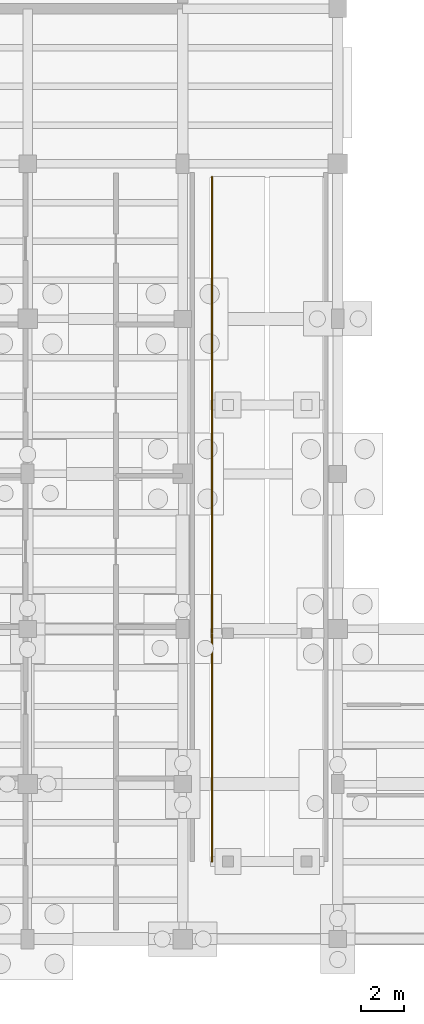
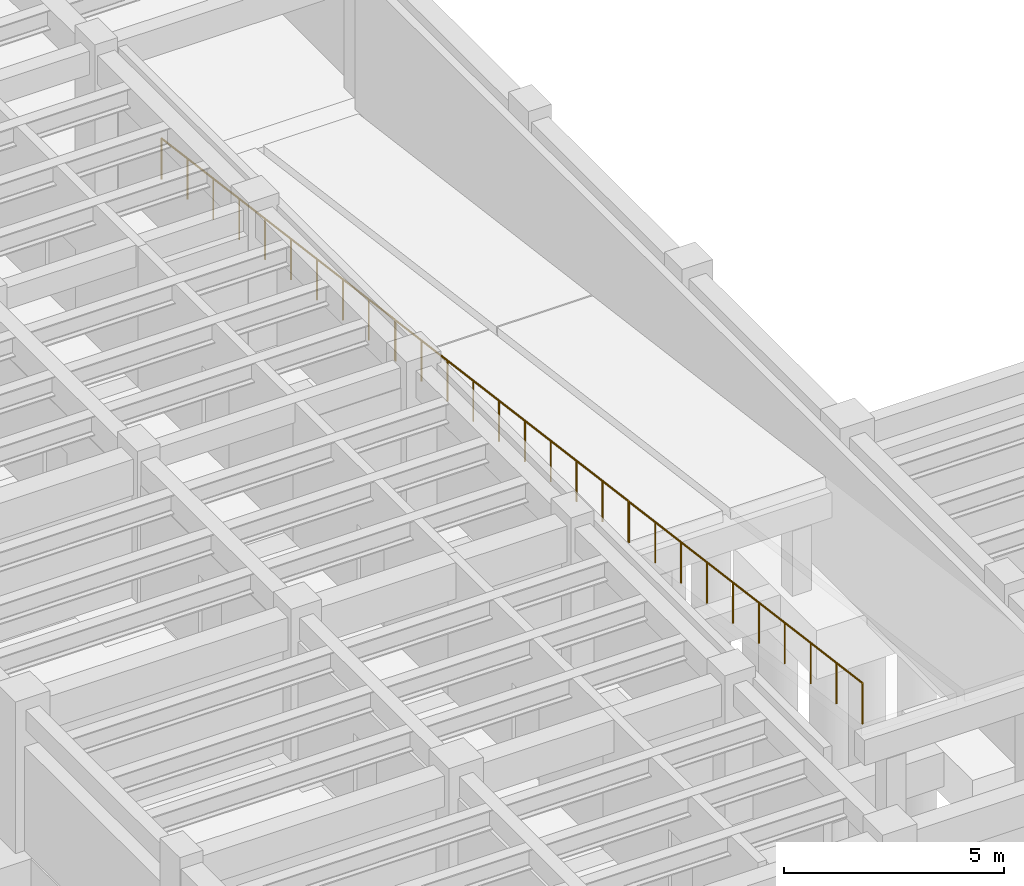
# One storey, part 27 of 33: 3 railings.
"""IFC4 building model written with IfcOpenShell, lengths in metres."""

from ifc_helpers import new_model, si_unit, direction, frame, origin, origin_2d, place, context, subcontext, project, spatial, circle, extrude, material, type_object, element, save


model = new_model("IFC4")

# Units and contexts
model_context = context("Model", 3, precision=1e-05, world=origin(), true_north=direction((0.0, 1.0)))
body_context = subcontext(model_context, "Body", "Model", "MODEL_VIEW")
ifc_project = project(units=[si_unit("LENGTHUNIT", "METRE"), si_unit("AREAUNIT", "SQUARE_METRE"), si_unit("VOLUMEUNIT", "CUBIC_METRE"), si_unit("PLANEANGLEUNIT", "RADIAN"), si_unit("MASSUNIT", "GRAM", prefix="KILO")], contexts=[model_context])

# Site, building, storey
site_placement = place(None, origin())
site = spatial("IfcSite", under=ifc_project, at=site_placement, CompositionType="ELEMENT")
building_placement = place(site_placement, origin())
building = spatial("IfcBuilding", under=site, at=building_placement, Name="Mithqara Police Headquarters", CompositionType="ELEMENT")
storey_placement = place(building_placement, frame((0.0, 0.0, -4.199951171875)))
storey = spatial("IfcBuildingStorey", under=building, at=storey_placement, Name="B1", CompositionType="ELEMENT", Elevation=-4.199951171875)

# Railings
ifc_material = material(Name="Bronze anodised aluminium 6063-T6", Category="aluminium")
railing_type = type_object("IfcRailingType", Name="GUARD BALUSTRADE1120", PredefinedType="BALUSTRADE", material=ifc_material)
railing_1_placement = place(storey_placement, frame((23.56005859375, 56.39990234375, 0.0)))
element("IfcRailing", 1, at=railing_1_placement, inside=storey, type_object=railing_type, Name="B1 Vehicle Ramp VR-01 West Edge Guard BOT", PredefinedType="BALUSTRADE", context=body_context, shape_type="SweptSolid", body=[
    extrude(circle(Radius=0.02392578125, at=origin_2d()), frame((0.0, 0.0, 1.1259765625), z_axis=(0.0, -0.991359272663, 0.131174664116), x_axis=(1.0, 0.0, 0.0)), (0.0, 0.0, 1.0), 10.672119140625),
    extrude(circle(Radius=0.02099609375, at=origin_2d()), origin(), (0.0, 0.0, 1.0), 1.101806640625),
    extrude(circle(Radius=0.02099609375, at=origin_2d()), frame((0.0, -1.175537109375, 0.155517578125)), (0.0, 0.0, 1.0), 1.101806640625),
    extrude(circle(Radius=0.02099609375, at=origin_2d()), frame((0.0, -2.35107421875, 0.31103515625)), (0.0, 0.0, 1.0), 1.101806640625),
    extrude(circle(Radius=0.02099609375, at=origin_2d()), frame((0.0, -3.526611328125, 0.466552734375)), (0.0, 0.0, 1.0), 1.101806640625),
    extrude(circle(Radius=0.02099609375, at=origin_2d()), frame((0.0, -4.7021484375, 0.6220703125)), (0.0, 0.0, 1.0), 1.101806640625),
    extrude(circle(Radius=0.02099609375, at=origin_2d()), frame((0.0, -5.877685546875, 0.77783203125)), (0.0, 0.0, 1.0), 1.101806640625),
    extrude(circle(Radius=0.02099609375, at=origin_2d()), frame((0.0, -7.05322265625, 0.933349609375)), (0.0, 0.0, 1.0), 1.101806640625),
    extrude(circle(Radius=0.02099609375, at=origin_2d()), frame((0.0, -8.228759765625, 1.0888671875)), (0.0, 0.0, 1.0), 1.101806640625),
    extrude(circle(Radius=0.02099609375, at=origin_2d()), frame((0.0, -9.404296875, 1.244384765625)), (0.0, 0.0, 1.0), 1.101806640625),
    extrude(circle(Radius=0.02099609375, at=origin_2d()), frame((0.0, -10.579833984375, 1.39990234375)), (0.0, 0.0, 1.0), 1.101806640625),
])
railing_2_placement = place(storey_placement, frame((23.56005859375, 45.780029296875, 1.39990234375)))
element("IfcRailing", 2, at=railing_2_placement, inside=storey, type_object=railing_type, Name="B1 Vehicle Ramp VR-01 West Edge Guard MAIN", PredefinedType="BALUSTRADE", context=body_context, shape_type="SweptSolid", body=[
    extrude(circle(Radius=0.02392578125, at=origin_2d()), frame((0.0, 0.0, 1.1259765625), z_axis=(0.0, -0.99132431425, 0.131438593939), x_axis=(1.0, 0.0, 0.0)), (0.0, 0.0, 1.0), 10.652587890625),
    extrude(circle(Radius=0.02099609375, at=origin_2d()), origin(), (0.0, 0.0, 1.0), 1.101806640625),
    extrude(circle(Radius=0.02099609375, at=origin_2d()), frame((0.0, -1.17333984375, 0.155517578125)), (0.0, 0.0, 1.0), 1.101806640625),
    extrude(circle(Radius=0.02099609375, at=origin_2d()), frame((0.0, -2.3466796875, 0.31103515625)), (0.0, 0.0, 1.0), 1.101806640625),
    extrude(circle(Radius=0.02099609375, at=origin_2d()), frame((0.0, -3.52001953125, 0.466796875)), (0.0, 0.0, 1.0), 1.101806640625),
    extrude(circle(Radius=0.02099609375, at=origin_2d()), frame((0.0, -4.693359375, 0.622314453125)), (0.0, 0.0, 1.0), 1.101806640625),
    extrude(circle(Radius=0.02099609375, at=origin_2d()), frame((0.0, -5.86669921875, 0.77783203125)), (0.0, 0.0, 1.0), 1.101806640625),
    extrude(circle(Radius=0.02099609375, at=origin_2d()), frame((0.0, -7.0400390625, 0.933349609375)), (0.0, 0.0, 1.0), 1.101806640625),
    extrude(circle(Radius=0.02099609375, at=origin_2d()), frame((0.0, -8.21337890625, 1.089111328125)), (0.0, 0.0, 1.0), 1.101806640625),
    extrude(circle(Radius=0.02099609375, at=origin_2d()), frame((0.0, -9.38671875, 1.24462890625)), (0.0, 0.0, 1.0), 1.101806640625),
    extrude(circle(Radius=0.02099609375, at=origin_2d()), frame((0.0, -10.56005859375, 1.400146484375)), (0.0, 0.0, 1.0), 1.101806640625),
])
railing_3_placement = place(storey_placement, frame((23.56005859375, 35.179931640625, 2.800048828125)))
element("IfcRailing", 3, at=railing_3_placement, inside=storey, type_object=railing_type, Name="B1 Vehicle Ramp VR-01 West Edge Guard TOP", PredefinedType="BALUSTRADE", context=body_context, shape_type="SweptSolid", body=[
    extrude(circle(Radius=0.02392578125, at=origin_2d()), frame((0.0, 0.0, 1.1259765625), z_axis=(0.0, -0.991359272663, 0.131174664116), x_axis=(1.0, 0.0, 0.0)), (0.0, 0.0, 1.0), 10.672119140625),
    extrude(circle(Radius=0.02099609375, at=origin_2d()), origin(), (0.0, 0.0, 1.0), 1.101806640625),
    extrude(circle(Radius=0.02099609375, at=origin_2d()), frame((0.0, -1.175537109375, 0.155517578125)), (0.0, 0.0, 1.0), 1.101806640625),
    extrude(circle(Radius=0.02099609375, at=origin_2d()), frame((0.0, -2.35107421875, 0.31103515625)), (0.0, 0.0, 1.0), 1.101806640625),
    extrude(circle(Radius=0.02099609375, at=origin_2d()), frame((0.0, -3.526611328125, 0.466552734375)), (0.0, 0.0, 1.0), 1.101806640625),
    extrude(circle(Radius=0.02099609375, at=origin_2d()), frame((0.0, -4.7021484375, 0.6220703125)), (0.0, 0.0, 1.0), 1.101806640625),
    extrude(circle(Radius=0.02099609375, at=origin_2d()), frame((0.0, -5.877685546875, 0.77783203125)), (0.0, 0.0, 1.0), 1.101806640625),
    extrude(circle(Radius=0.02099609375, at=origin_2d()), frame((0.0, -7.05322265625, 0.933349609375)), (0.0, 0.0, 1.0), 1.101806640625),
    extrude(circle(Radius=0.02099609375, at=origin_2d()), frame((0.0, -8.228759765625, 1.0888671875)), (0.0, 0.0, 1.0), 1.101806640625),
    extrude(circle(Radius=0.02099609375, at=origin_2d()), frame((0.0, -9.404296875, 1.244384765625)), (0.0, 0.0, 1.0), 1.101806640625),
    extrude(circle(Radius=0.02099609375, at=origin_2d()), frame((0.0, -10.579833984375, 1.39990234375)), (0.0, 0.0, 1.0), 1.101806640625),
])

save(model, "model.ifc")
